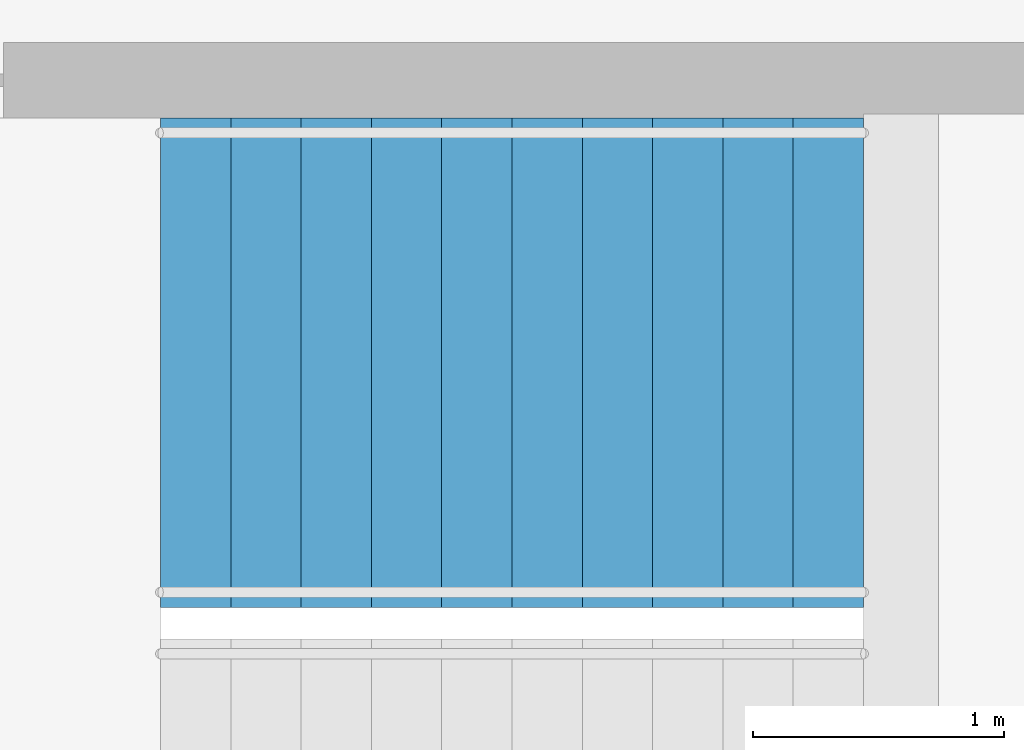
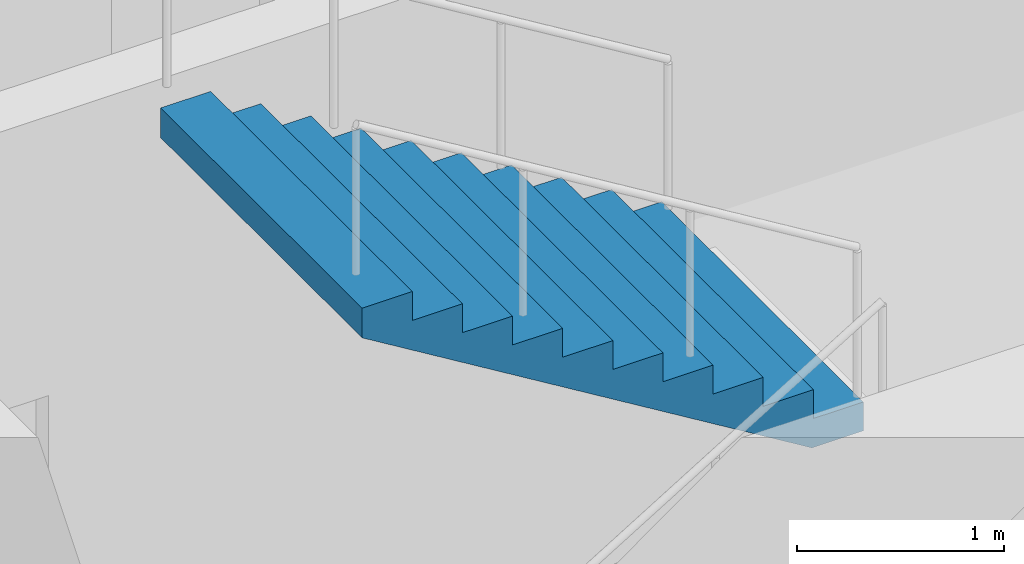
# One storey, part 19 of 22: 1 stair flight, 1 element without a shape of its own.
"""IFC4 building model written with IfcOpenShell, lengths in metres."""

from ifc_helpers import new_model, si_unit, direction, frame, origin, place, context, subcontext, project, spatial, triangles, material, type_object, element, aggregate, save


model = new_model("IFC4")

# Units and contexts
model_context = context("Model", 3, precision=1e-05, world=origin(), true_north=direction((0.0, 1.0)))
body_context = subcontext(model_context, "Body", "Model", "MODEL_VIEW")
ifc_project = project(units=[si_unit("LENGTHUNIT", "METRE"), si_unit("AREAUNIT", "SQUARE_METRE"), si_unit("VOLUMEUNIT", "CUBIC_METRE"), si_unit("PLANEANGLEUNIT", "RADIAN"), si_unit("MASSUNIT", "GRAM", prefix="KILO")], contexts=[model_context])

# Site, building, storey
site_placement = place(None, origin())
site = spatial("IfcSite", under=ifc_project, at=site_placement, CompositionType="ELEMENT")
building_placement = place(site_placement, origin())
building = spatial("IfcBuilding", under=site, at=building_placement, Name="Orbita Commons", CompositionType="ELEMENT")
storey_placement = place(building_placement, frame((0.0, 0.0, 152.35009765625)))
storey = spatial("IfcBuildingStorey", under=building, at=storey_placement, Name="L37", CompositionType="ELEMENT", Elevation=152.35009765625)

# Stair, stair flight
ifc_material_1 = material(Name="Precast concrete C40/50", Category="concrete")
stair_type = type_object("IfcStairType", Name="Exit stair S1 2 flights 11 risers 170", PredefinedType="HALF_TURN_STAIR", material=ifc_material_1)
stair_placement = place(storey_placement, origin())
stair = element("IfcStair", 1, at=stair_placement, inside=storey, type_object=stair_type, Name="Exit stair S1 L37", PredefinedType="HALF_TURN_STAIR")
ifc_material_2 = material(Name="Precast concrete C40/50", Category="concrete")
stair_flight_type = type_object("IfcStairFlightType", Name="Stair flight 11 risers 170 x 280", PredefinedType="STRAIGHT", material=ifc_material_2)
stair_flight_placement = place(storey_placement, frame((23.25, 29.27490234375, 1.875), z_axis=(0.0, 0.0, 1.0), x_axis=(-1.0, 0.0, 0.0)))
stair_flight = element("IfcStairFlight", 2, at=stair_flight_placement, type_object=stair_flight_type, Name="S1 flight 2", NumberOfRisers=11, NumberOfTreads=10, PredefinedType="STRAIGHT", RiserHeight=0.170454545, TreadLength=0.28, context=body_context, shape_type="Tessellation", body=[
    triangles([(0.0, 0.974976, 0.0), (0.0, 0.974976, 0.021307), (0.0, 0.81248, 0.021307), (0.0, 0.81248, 0.0), (0.0, 0.649984, 0.021307), (0.0, 0.649984, 0.0), (0.0, 0.487488, 0.021307), (0.0, 0.487488, 0.0), (0.0, 0.324992, 0.021307), (0.0, 0.324992, 0.0), (0.0, 0.162496, 0.021307), (0.0, 0.162496, 0.0), (0.0, 0.0, 0.021307), (0.0, 0.0, 0.0), (0.0, -0.162496, 0.021307), (0.0, -0.162496, 0.0), (0.0, -0.324992, 0.021307), (0.0, -0.324992, 0.0), (0.0, -0.487488, 0.021307), (0.0, -0.487488, 0.0), (0.0, -0.649984, 0.021307), (0.0, -0.649984, 0.0), (0.0, -0.81248, 0.021307), (0.0, -0.81248, 0.0), (0.0, -0.974976, 0.021307), (0.0, -0.974976, 0.0), (0.0, 0.974976, 0.042614), (0.0, 0.81248, 0.042614), (0.0, 0.649984, 0.042614), (0.0, 0.487488, 0.042614), (0.0, 0.324992, 0.042614), (0.0, 0.162496, 0.042614), (0.0, 0.0, 0.042614), (0.0, -0.162496, 0.042614), (0.0, -0.324992, 0.042614), (0.0, -0.487488, 0.042614), (0.0, -0.649984, 0.042614), (0.0, -0.81248, 0.042614), (0.0, -0.974976, 0.042614), (0.0, 0.974976, 0.06392), (0.0, 0.81248, 0.06392), (0.0, 0.649984, 0.06392), (0.0, 0.487488, 0.06392), (0.0, 0.324992, 0.06392), (0.0, 0.162496, 0.06392), (0.0, 0.0, 0.06392), (0.0, -0.162496, 0.06392), (0.0, -0.324992, 0.06392), (0.0, -0.487488, 0.06392), (0.0, -0.649984, 0.06392), (0.0, -0.81248, 0.06392), (0.0, -0.974976, 0.06392), (0.0, 0.974976, 0.085227), (0.0, 0.81248, 0.085227), (0.0, 0.649984, 0.085227), (0.0, 0.487488, 0.085227), (0.0, 0.324992, 0.085227), (0.0, 0.162496, 0.085227), (0.0, 0.0, 0.085227), (0.0, -0.162496, 0.085227), (0.0, -0.324992, 0.085227), (0.0, -0.487488, 0.085227), (0.0, -0.649984, 0.085227), (0.0, -0.81248, 0.085227), (0.0, -0.974976, 0.085227), (0.0, 0.974976, 0.106534), (0.0, 0.81248, 0.106534), (0.0, 0.649984, 0.106534), (0.0, 0.487488, 0.106534), (0.0, 0.324992, 0.106534), (0.0, 0.162496, 0.106534), (0.0, 0.0, 0.106534), (0.0, -0.162496, 0.106534), (0.0, -0.324992, 0.106534), (0.0, -0.487488, 0.106534), (0.0, -0.649984, 0.106534), (0.0, -0.81248, 0.106534), (0.0, -0.974976, 0.106534), (0.0, 0.974976, 0.127841), (0.0, 0.81248, 0.127841), (0.0, 0.649984, 0.127841), (0.0, 0.487488, 0.127841), (0.0, 0.324992, 0.127841), (0.0, 0.162496, 0.127841), (0.0, 0.0, 0.127841), (0.0, -0.162496, 0.127841), (0.0, -0.324992, 0.127841), (0.0, -0.487488, 0.127841), (0.0, -0.649984, 0.127841), (0.0, -0.81248, 0.127841), (0.0, -0.974976, 0.127841), (0.0, 0.974976, 0.149148), (0.0, 0.81248, 0.149148), (0.0, 0.649984, 0.149148), (0.0, 0.487488, 0.149148), (0.0, 0.324992, 0.149148), (0.0, 0.162496, 0.149148), (0.0, 0.0, 0.149148), (0.0, -0.162496, 0.149148), (0.0, -0.324992, 0.149148), (0.0, -0.487488, 0.149148), (0.0, -0.649984, 0.149148), (0.0, -0.81248, 0.149148), (0.0, -0.974976, 0.149148), (0.0, 0.974976, 0.170455), (0.0, 0.81248, 0.170455), (0.0, 0.649984, 0.170455), (0.0, 0.487488, 0.170455), (0.0, 0.324992, 0.170455), (0.0, 0.162496, 0.170455), (0.0, 0.0, 0.170455), (0.0, -0.162496, 0.170455), (0.0, -0.324992, 0.170455), (0.0, -0.487488, 0.170455), (0.0, -0.649984, 0.170455), (0.0, -0.81248, 0.170455), (0.0, -0.974976, 0.170455), (0.28, 0.974976, 0.170455), (0.28, 0.81248, 0.170455), (0.28, 0.649984, 0.170455), (0.28, 0.487488, 0.170455), (0.28, 0.324992, 0.170455), (0.28, 0.162496, 0.170455), (0.28, 0.0, 0.170455), (0.28, -0.162496, 0.170455), (0.28, -0.324992, 0.170455), (0.28, -0.487488, 0.170455), (0.28, -0.649984, 0.170455), (0.28, -0.81248, 0.170455), (0.28, -0.974976, 0.170455), (0.28, 0.974976, 0.340909), (0.28, 0.81248, 0.340909), (0.28, 0.649984, 0.340909), (0.28, 0.487488, 0.340909), (0.28, 0.324992, 0.340909), (0.28, 0.162496, 0.340909), (0.28, 0.0, 0.340909), (0.28, -0.162496, 0.340909), (0.28, -0.324992, 0.340909), (0.28, -0.487488, 0.340909), (0.28, -0.649984, 0.340909), (0.28, -0.81248, 0.340909), (0.28, -0.974976, 0.340909), (0.56, 0.974976, 0.340909), (0.56, 0.81248, 0.340909), (0.56, 0.649984, 0.340909), (0.56, 0.487488, 0.340909), (0.56, 0.324992, 0.340909), (0.56, 0.162496, 0.340909), (0.56, 0.0, 0.340909), (0.56, -0.162496, 0.340909), (0.56, -0.324992, 0.340909), (0.56, -0.487488, 0.340909), (0.56, -0.649984, 0.340909), (0.56, -0.81248, 0.340909), (0.56, -0.974976, 0.340909), (0.56, 0.974976, 0.511364), (0.56, 0.81248, 0.511364), (0.56, 0.649984, 0.511364), (0.56, 0.487488, 0.511364), (0.56, 0.324992, 0.511364), (0.56, 0.162496, 0.511364), (0.56, 0.0, 0.511364), (0.56, -0.162496, 0.511364), (0.56, -0.324992, 0.511364), (0.56, -0.487488, 0.511364), (0.56, -0.649984, 0.511364), (0.56, -0.81248, 0.511364), (0.56, -0.974976, 0.511364), (0.84, 0.974976, 0.511364), (0.84, 0.81248, 0.511364), (0.84, 0.649984, 0.511364), (0.84, 0.487488, 0.511364), (0.84, 0.324992, 0.511364), (0.84, 0.162496, 0.511364), (0.84, 0.0, 0.511364), (0.84, -0.162496, 0.511364), (0.84, -0.324992, 0.511364), (0.84, -0.487488, 0.511364), (0.84, -0.649984, 0.511364), (0.84, -0.81248, 0.511364), (0.84, -0.974976, 0.511364), (0.84, 0.974976, 0.681818), (0.84, 0.81248, 0.681818), (0.84, 0.649984, 0.681818), (0.84, 0.487488, 0.681818), (0.84, 0.324992, 0.681818), (0.84, 0.162496, 0.681818), (0.84, 0.0, 0.681818), (0.84, -0.162496, 0.681818), (0.84, -0.324992, 0.681818), (0.84, -0.487488, 0.681818), (0.84, -0.649984, 0.681818), (0.84, -0.81248, 0.681818), (0.84, -0.974976, 0.681818), (1.12, 0.974976, 0.681818), (1.12, 0.81248, 0.681818), (1.12, 0.649984, 0.681818), (1.12, 0.487488, 0.681818), (1.12, 0.324992, 0.681818), (1.12, 0.162496, 0.681818), (1.12, 0.0, 0.681818), (1.12, -0.162496, 0.681818), (1.12, -0.324992, 0.681818), (1.12, -0.487488, 0.681818), (1.12, -0.649984, 0.681818), (1.12, -0.81248, 0.681818), (1.12, -0.974976, 0.681818), (1.12, 0.974976, 0.852273), (1.12, 0.81248, 0.852273), (1.12, 0.649984, 0.852273), (1.12, 0.487488, 0.852273), (1.12, 0.324992, 0.852273), (1.12, 0.162496, 0.852273), (1.12, 0.0, 0.852273), (1.12, -0.162496, 0.852273), (1.12, -0.324992, 0.852273), (1.12, -0.487488, 0.852273), (1.12, -0.649984, 0.852273), (1.12, -0.81248, 0.852273), (1.12, -0.974976, 0.852273), (1.4, 0.974976, 0.852273), (1.4, 0.81248, 0.852273), (1.4, 0.649984, 0.852273), (1.4, 0.487488, 0.852273), (1.4, 0.324992, 0.852273), (1.4, 0.162496, 0.852273), (1.4, 0.0, 0.852273), (1.4, -0.162496, 0.852273), (1.4, -0.324992, 0.852273), (1.4, -0.487488, 0.852273), (1.4, -0.649984, 0.852273), (1.4, -0.81248, 0.852273), (1.4, -0.974976, 0.852273), (1.4, 0.974976, 1.022727), (1.4, 0.81248, 1.022727), (1.4, 0.649984, 1.022727), (1.4, 0.487488, 1.022727), (1.4, 0.324992, 1.022727), (1.4, 0.162496, 1.022727), (1.4, 0.0, 1.022727), (1.4, -0.162496, 1.022727), (1.4, -0.324992, 1.022727), (1.4, -0.487488, 1.022727), (1.4, -0.649984, 1.022727), (1.4, -0.81248, 1.022727), (1.4, -0.974976, 1.022727), (1.68, 0.974976, 1.022727), (1.68, 0.81248, 1.022727), (1.68, 0.649984, 1.022727), (1.68, 0.487488, 1.022727), (1.68, 0.324992, 1.022727), (1.68, 0.162496, 1.022727), (1.68, 0.0, 1.022727), (1.68, -0.162496, 1.022727), (1.68, -0.324992, 1.022727), (1.68, -0.487488, 1.022727), (1.68, -0.649984, 1.022727), (1.68, -0.81248, 1.022727), (1.68, -0.974976, 1.022727), (1.68, 0.974976, 1.193182), (1.68, 0.81248, 1.193182), (1.68, 0.649984, 1.193182), (1.68, 0.487488, 1.193182), (1.68, 0.324992, 1.193182), (1.68, 0.162496, 1.193182), (1.68, 0.0, 1.193182), (1.68, -0.162496, 1.193182), (1.68, -0.324992, 1.193182), (1.68, -0.487488, 1.193182), (1.68, -0.649984, 1.193182), (1.68, -0.81248, 1.193182), (1.68, -0.974976, 1.193182), (1.96, 0.974976, 1.193182), (1.96, 0.81248, 1.193182), (1.96, 0.649984, 1.193182), (1.96, 0.487488, 1.193182), (1.96, 0.324992, 1.193182), (1.96, 0.162496, 1.193182), (1.96, 0.0, 1.193182), (1.96, -0.162496, 1.193182), (1.96, -0.324992, 1.193182), (1.96, -0.487488, 1.193182), (1.96, -0.649984, 1.193182), (1.96, -0.81248, 1.193182), (1.96, -0.974976, 1.193182), (1.96, 0.974976, 1.363636), (1.96, 0.81248, 1.363636), (1.96, 0.649984, 1.363636), (1.96, 0.487488, 1.363636), (1.96, 0.324992, 1.363636), (1.96, 0.162496, 1.363636), (1.96, 0.0, 1.363636), (1.96, -0.162496, 1.363636), (1.96, -0.324992, 1.363636), (1.96, -0.487488, 1.363636), (1.96, -0.649984, 1.363636), (1.96, -0.81248, 1.363636), (1.96, -0.974976, 1.363636), (2.24, 0.974976, 1.363636), (2.24, 0.81248, 1.363636), (2.24, 0.649984, 1.363636), (2.24, 0.487488, 1.363636), (2.24, 0.324992, 1.363636), (2.24, 0.162496, 1.363636), (2.24, 0.0, 1.363636), (2.24, -0.162496, 1.363636), (2.24, -0.324992, 1.363636), (2.24, -0.487488, 1.363636), (2.24, -0.649984, 1.363636), (2.24, -0.81248, 1.363636), (2.24, -0.974976, 1.363636), (2.24, 0.974976, 1.534091), (2.24, 0.81248, 1.534091), (2.24, 0.649984, 1.534091), (2.24, 0.487488, 1.534091), (2.24, 0.324992, 1.534091), (2.24, 0.162496, 1.534091), (2.24, 0.0, 1.534091), (2.24, -0.162496, 1.534091), (2.24, -0.324992, 1.534091), (2.24, -0.487488, 1.534091), (2.24, -0.649984, 1.534091), (2.24, -0.81248, 1.534091), (2.24, -0.974976, 1.534091), (2.52, 0.974976, 1.534091), (2.52, 0.81248, 1.534091), (2.52, 0.649984, 1.534091), (2.52, 0.487488, 1.534091), (2.52, 0.324992, 1.534091), (2.52, 0.162496, 1.534091), (2.52, 0.0, 1.534091), (2.52, -0.162496, 1.534091), (2.52, -0.324992, 1.534091), (2.52, -0.487488, 1.534091), (2.52, -0.649984, 1.534091), (2.52, -0.81248, 1.534091), (2.52, -0.974976, 1.534091), (2.52, 0.974976, 1.704545), (2.52, 0.81248, 1.704545), (2.52, 0.649984, 1.704545), (2.52, 0.487488, 1.704545), (2.52, 0.324992, 1.704545), (2.52, 0.162496, 1.704545), (2.52, 0.0, 1.704545), (2.52, -0.162496, 1.704545), (2.52, -0.324992, 1.704545), (2.52, -0.487488, 1.704545), (2.52, -0.649984, 1.704545), (2.52, -0.81248, 1.704545), (2.52, -0.974976, 1.704545), (2.8, 0.974976, 1.704545), (2.8, 0.81248, 1.704545), (2.8, 0.649984, 1.704545), (2.8, 0.487488, 1.704545), (2.8, 0.324992, 1.704545), (2.8, 0.162496, 1.704545), (2.8, 0.0, 1.704545), (2.8, -0.162496, 1.704545), (2.8, -0.324992, 1.704545), (2.8, -0.487488, 1.704545), (2.8, -0.649984, 1.704545), (2.8, -0.81248, 1.704545), (2.8, -0.974976, 1.704545), (2.8, 0.974976, 1.682609), (2.8, 0.81248, 1.682609), (2.8, 0.649984, 1.682609), (2.8, 0.487488, 1.682609), (2.8, 0.324992, 1.682609), (2.8, 0.162496, 1.682609), (2.8, 0.0, 1.682609), (2.8, -0.162496, 1.682609), (2.8, -0.324992, 1.682609), (2.8, -0.487488, 1.682609), (2.8, -0.649984, 1.682609), (2.8, -0.81248, 1.682609), (2.8, -0.974976, 1.682609), (2.8, 0.974976, 1.660672), (2.8, 0.81248, 1.660672), (2.8, 0.649984, 1.660672), (2.8, 0.487488, 1.660672), (2.8, 0.324992, 1.660672), (2.8, 0.162496, 1.660672), (2.8, 0.0, 1.660672), (2.8, -0.162496, 1.660672), (2.8, -0.324992, 1.660672), (2.8, -0.487488, 1.660672), (2.8, -0.649984, 1.660672), (2.8, -0.81248, 1.660672), (2.8, -0.974976, 1.660672), (2.8, 0.974976, 1.638735), (2.8, 0.81248, 1.638735), (2.8, 0.649984, 1.638735), (2.8, 0.487488, 1.638735), (2.8, 0.324992, 1.638735), (2.8, 0.162496, 1.638735), (2.8, 0.0, 1.638735), (2.8, -0.162496, 1.638735), (2.8, -0.324992, 1.638735), (2.8, -0.487488, 1.638735), (2.8, -0.649984, 1.638735), (2.8, -0.81248, 1.638735), (2.8, -0.974976, 1.638735), (2.8, 0.974976, 1.616798), (2.8, 0.81248, 1.616798), (2.8, 0.649984, 1.616798), (2.8, 0.487488, 1.616798), (2.8, 0.324992, 1.616798), (2.8, 0.162496, 1.616798), (2.8, 0.0, 1.616798), (2.8, -0.162496, 1.616798), (2.8, -0.324992, 1.616798), (2.8, -0.487488, 1.616798), (2.8, -0.649984, 1.616798), (2.8, -0.81248, 1.616798), (2.8, -0.974976, 1.616798), (2.8, 0.974976, 1.594861), (2.8, 0.81248, 1.594861), (2.8, 0.649984, 1.594861), (2.8, 0.487488, 1.594861), (2.8, 0.324992, 1.594861), (2.8, 0.162496, 1.594861), (2.8, 0.0, 1.594861), (2.8, -0.162496, 1.594861), (2.8, -0.324992, 1.594861), (2.8, -0.487488, 1.594861), (2.8, -0.649984, 1.594861), (2.8, -0.81248, 1.594861), (2.8, -0.974976, 1.594861), (2.8, 0.974976, 1.572925), (2.8, 0.81248, 1.572925), (2.8, 0.649984, 1.572925), (2.8, 0.487488, 1.572925), (2.8, 0.324992, 1.572925), (2.8, 0.162496, 1.572925), (2.8, 0.0, 1.572925), (2.8, -0.162496, 1.572925), (2.8, -0.324992, 1.572925), (2.8, -0.487488, 1.572925), (2.8, -0.649984, 1.572925), (2.8, -0.81248, 1.572925), (2.8, -0.974976, 1.572925), (2.8, 0.974976, 1.550988), (2.8, 0.81248, 1.550988), (2.8, 0.649984, 1.550988), (2.8, 0.487488, 1.550988), (2.8, 0.324992, 1.550988), (2.8, 0.162496, 1.550988), (2.8, 0.0, 1.550988), (2.8, -0.162496, 1.550988), (2.8, -0.324992, 1.550988), (2.8, -0.487488, 1.550988), (2.8, -0.649984, 1.550988), (2.8, -0.81248, 1.550988), (2.8, -0.974976, 1.550988), (2.8, 0.974976, 1.529051), (2.8, 0.81248, 1.529051), (2.8, 0.649984, 1.529051), (2.8, 0.487488, 1.529051), (2.8, 0.324992, 1.529051), (2.8, 0.162496, 1.529051), (2.8, 0.0, 1.529051), (2.8, -0.162496, 1.529051), (2.8, -0.324992, 1.529051), (2.8, -0.487488, 1.529051), (2.8, -0.649984, 1.529051), (2.8, -0.81248, 1.529051), (2.8, -0.974976, 1.529051), (0.288279, 0.974976, 0.0), (0.288279, 0.81248, 0.0), (0.288279, 0.649984, 0.0), (0.288279, 0.487488, 0.0), (0.288279, 0.324992, 0.0), (0.288279, 0.162496, 0.0), (0.288279, 0.0, 0.0), (0.288279, -0.162496, 0.0), (0.288279, -0.324992, 0.0), (0.288279, -0.487488, 0.0), (0.288279, -0.649984, 0.0), (0.288279, -0.81248, 0.0), (0.288279, -0.974976, 0.0)], [[3, 2, 1], [4, 3, 1], [5, 3, 4], [6, 5, 4], [7, 5, 6], [8, 7, 6], [9, 7, 8], [10, 9, 8], [11, 9, 10], [12, 11, 10], [13, 11, 12], [14, 13, 12], [15, 13, 14], [16, 15, 14], [17, 15, 16], [18, 17, 16], [19, 17, 18], [20, 19, 18], [21, 19, 20], [22, 21, 20], [23, 21, 22], [24, 23, 22], [25, 23, 24], [26, 25, 24], [28, 27, 2], [3, 28, 2], [29, 28, 3], [5, 29, 3], [30, 29, 5], [7, 30, 5], [31, 30, 7], [9, 31, 7], [32, 31, 9], [11, 32, 9], [33, 32, 11], [13, 33, 11], [34, 33, 13], [15, 34, 13], [35, 34, 15], [17, 35, 15], [36, 35, 17], [19, 36, 17], [37, 36, 19], [21, 37, 19], [38, 37, 21], [23, 38, 21], [39, 38, 23], [25, 39, 23], [41, 40, 27], [28, 41, 27], [42, 41, 28], [29, 42, 28], [43, 42, 29], [30, 43, 29], [44, 43, 30], [31, 44, 30], [45, 44, 31], [32, 45, 31], [46, 45, 32], [33, 46, 32], [47, 46, 33], [34, 47, 33], [48, 47, 34], [35, 48, 34], [49, 48, 35], [36, 49, 35], [50, 49, 36], [37, 50, 36], [51, 50, 37], [38, 51, 37], [52, 51, 38], [39, 52, 38], [54, 53, 40], [41, 54, 40], [55, 54, 41], [42, 55, 41], [56, 55, 42], [43, 56, 42], [57, 56, 43], [44, 57, 43], [58, 57, 44], [45, 58, 44], [59, 58, 45], [46, 59, 45], [60, 59, 46], [47, 60, 46], [61, 60, 47], [48, 61, 47], [62, 61, 48], [49, 62, 48], [63, 62, 49], [50, 63, 49], [64, 63, 50], [51, 64, 50], [65, 64, 51], [52, 65, 51], [67, 66, 53], [54, 67, 53], [68, 67, 54], [55, 68, 54], [69, 68, 55], [56, 69, 55], [70, 69, 56], [57, 70, 56], [71, 70, 57], [58, 71, 57], [72, 71, 58], [59, 72, 58], [73, 72, 59], [60, 73, 59], [74, 73, 60], [61, 74, 60], [75, 74, 61], [62, 75, 61], [76, 75, 62], [63, 76, 62], [77, 76, 63], [64, 77, 63], [78, 77, 64], [65, 78, 64], [80, 79, 66], [67, 80, 66], [81, 80, 67], [68, 81, 67], [82, 81, 68], [69, 82, 68], [83, 82, 69], [70, 83, 69], [84, 83, 70], [71, 84, 70], [85, 84, 71], [72, 85, 71], [86, 85, 72], [73, 86, 72], [87, 86, 73], [74, 87, 73], [88, 87, 74], [75, 88, 74], [89, 88, 75], [76, 89, 75], [90, 89, 76], [77, 90, 76], [91, 90, 77], [78, 91, 77], [93, 92, 79], [80, 93, 79], [94, 93, 80], [81, 94, 80], [95, 94, 81], [82, 95, 81], [96, 95, 82], [83, 96, 82], [97, 96, 83], [84, 97, 83], [98, 97, 84], [85, 98, 84], [99, 98, 85], [86, 99, 85], [100, 99, 86], [87, 100, 86], [101, 100, 87], [88, 101, 87], [102, 101, 88], [89, 102, 88], [103, 102, 89], [90, 103, 89], [104, 103, 90], [91, 104, 90], [106, 105, 92], [93, 106, 92], [107, 106, 93], [94, 107, 93], [108, 107, 94], [95, 108, 94], [109, 108, 95], [96, 109, 95], [110, 109, 96], [97, 110, 96], [111, 110, 97], [98, 111, 97], [112, 111, 98], [99, 112, 98], [113, 112, 99], [100, 113, 99], [114, 113, 100], [101, 114, 100], [115, 114, 101], [102, 115, 101], [116, 115, 102], [103, 116, 102], [117, 116, 103], [104, 117, 103], [119, 118, 105], [106, 119, 105], [120, 119, 106], [107, 120, 106], [121, 120, 107], [108, 121, 107], [122, 121, 108], [109, 122, 108], [123, 122, 109], [110, 123, 109], [124, 123, 110], [111, 124, 110], [125, 124, 111], [112, 125, 111], [126, 125, 112], [113, 126, 112], [127, 126, 113], [114, 127, 113], [128, 127, 114], [115, 128, 114], [129, 128, 115], [116, 129, 115], [130, 129, 116], [117, 130, 116], [132, 131, 118], [119, 132, 118], [133, 132, 119], [120, 133, 119], [134, 133, 120], [121, 134, 120], [135, 134, 121], [122, 135, 121], [136, 135, 122], [123, 136, 122], [137, 136, 123], [124, 137, 123], [138, 137, 124], [125, 138, 124], [139, 138, 125], [126, 139, 125], [140, 139, 126], [127, 140, 126], [141, 140, 127], [128, 141, 127], [142, 141, 128], [129, 142, 128], [143, 142, 129], [130, 143, 129], [145, 144, 131], [132, 145, 131], [146, 145, 132], [133, 146, 132], [147, 146, 133], [134, 147, 133], [148, 147, 134], [135, 148, 134], [149, 148, 135], [136, 149, 135], [150, 149, 136], [137, 150, 136], [151, 150, 137], [138, 151, 137], [152, 151, 138], [139, 152, 138], [153, 152, 139], [140, 153, 139], [154, 153, 140], [141, 154, 140], [155, 154, 141], [142, 155, 141], [156, 155, 142], [143, 156, 142], [158, 157, 144], [145, 158, 144], [159, 158, 145], [146, 159, 145], [160, 159, 146], [147, 160, 146], [161, 160, 147], [148, 161, 147], [162, 161, 148], [149, 162, 148], [163, 162, 149], [150, 163, 149], [164, 163, 150], [151, 164, 150], [165, 164, 151], [152, 165, 151], [166, 165, 152], [153, 166, 152], [167, 166, 153], [154, 167, 153], [168, 167, 154], [155, 168, 154], [169, 168, 155], [156, 169, 155], [171, 170, 157], [158, 171, 157], [172, 171, 158], [159, 172, 158], [173, 172, 159], [160, 173, 159], [174, 173, 160], [161, 174, 160], [175, 174, 161], [162, 175, 161], [176, 175, 162], [163, 176, 162], [177, 176, 163], [164, 177, 163], [178, 177, 164], [165, 178, 164], [179, 178, 165], [166, 179, 165], [180, 179, 166], [167, 180, 166], [181, 180, 167], [168, 181, 167], [182, 181, 168], [169, 182, 168], [184, 183, 170], [171, 184, 170], [185, 184, 171], [172, 185, 171], [186, 185, 172], [173, 186, 172], [187, 186, 173], [174, 187, 173], [188, 187, 174], [175, 188, 174], [189, 188, 175], [176, 189, 175], [190, 189, 176], [177, 190, 176], [191, 190, 177], [178, 191, 177], [192, 191, 178], [179, 192, 178], [193, 192, 179], [180, 193, 179], [194, 193, 180], [181, 194, 180], [195, 194, 181], [182, 195, 181], [197, 196, 183], [184, 197, 183], [198, 197, 184], [185, 198, 184], [199, 198, 185], [186, 199, 185], [200, 199, 186], [187, 200, 186], [201, 200, 187], [188, 201, 187], [202, 201, 188], [189, 202, 188], [203, 202, 189], [190, 203, 189], [204, 203, 190], [191, 204, 190], [205, 204, 191], [192, 205, 191], [206, 205, 192], [193, 206, 192], [207, 206, 193], [194, 207, 193], [208, 207, 194], [195, 208, 194], [210, 209, 196], [197, 210, 196], [211, 210, 197], [198, 211, 197], [212, 211, 198], [199, 212, 198], [213, 212, 199], [200, 213, 199], [214, 213, 200], [201, 214, 200], [215, 214, 201], [202, 215, 201], [216, 215, 202], [203, 216, 202], [217, 216, 203], [204, 217, 203], [218, 217, 204], [205, 218, 204], [219, 218, 205], [206, 219, 205], [220, 219, 206], [207, 220, 206], [221, 220, 207], [208, 221, 207], [223, 222, 209], [210, 223, 209], [224, 223, 210], [211, 224, 210], [225, 224, 211], [212, 225, 211], [226, 225, 212], [213, 226, 212], [227, 226, 213], [214, 227, 213], [228, 227, 214], [215, 228, 214], [229, 228, 215], [216, 229, 215], [230, 229, 216], [217, 230, 216], [231, 230, 217], [218, 231, 217], [232, 231, 218], [219, 232, 218], [233, 232, 219], [220, 233, 219], [234, 233, 220], [221, 234, 220], [236, 235, 222], [223, 236, 222], [237, 236, 223], [224, 237, 223], [238, 237, 224], [225, 238, 224], [239, 238, 225], [226, 239, 225], [240, 239, 226], [227, 240, 226], [241, 240, 227], [228, 241, 227], [242, 241, 228], [229, 242, 228], [243, 242, 229], [230, 243, 229], [244, 243, 230], [231, 244, 230], [245, 244, 231], [232, 245, 231], [246, 245, 232], [233, 246, 232], [247, 246, 233], [234, 247, 233], [249, 248, 235], [236, 249, 235], [250, 249, 236], [237, 250, 236], [251, 250, 237], [238, 251, 237], [252, 251, 238], [239, 252, 238], [253, 252, 239], [240, 253, 239], [254, 253, 240], [241, 254, 240], [255, 254, 241], [242, 255, 241], [256, 255, 242], [243, 256, 242], [257, 256, 243], [244, 257, 243], [258, 257, 244], [245, 258, 244], [259, 258, 245], [246, 259, 245], [260, 259, 246], [247, 260, 246], [262, 261, 248], [249, 262, 248], [263, 262, 249], [250, 263, 249], [264, 263, 250], [251, 264, 250], [265, 264, 251], [252, 265, 251], [266, 265, 252], [253, 266, 252], [267, 266, 253], [254, 267, 253], [268, 267, 254], [255, 268, 254], [269, 268, 255], [256, 269, 255], [270, 269, 256], [257, 270, 256], [271, 270, 257], [258, 271, 257], [272, 271, 258], [259, 272, 258], [273, 272, 259], [260, 273, 259], [275, 274, 261], [262, 275, 261], [276, 275, 262], [263, 276, 262], [277, 276, 263], [264, 277, 263], [278, 277, 264], [265, 278, 264], [279, 278, 265], [266, 279, 265], [280, 279, 266], [267, 280, 266], [281, 280, 267], [268, 281, 267], [282, 281, 268], [269, 282, 268], [283, 282, 269], [270, 283, 269], [284, 283, 270], [271, 284, 270], [285, 284, 271], [272, 285, 271], [286, 285, 272], [273, 286, 272], [288, 287, 274], [275, 288, 274], [289, 288, 275], [276, 289, 275], [290, 289, 276], [277, 290, 276], [291, 290, 277], [278, 291, 277], [292, 291, 278], [279, 292, 278], [293, 292, 279], [280, 293, 279], [294, 293, 280], [281, 294, 280], [295, 294, 281], [282, 295, 281], [296, 295, 282], [283, 296, 282], [297, 296, 283], [284, 297, 283], [298, 297, 284], [285, 298, 284], [299, 298, 285], [286, 299, 285], [301, 300, 287], [288, 301, 287], [302, 301, 288], [289, 302, 288], [303, 302, 289], [290, 303, 289], [304, 303, 290], [291, 304, 290], [305, 304, 291], [292, 305, 291], [306, 305, 292], [293, 306, 292], [307, 306, 293], [294, 307, 293], [308, 307, 294], [295, 308, 294], [309, 308, 295], [296, 309, 295], [310, 309, 296], [297, 310, 296], [311, 310, 297], [298, 311, 297], [312, 311, 298], [299, 312, 298], [314, 313, 300], [301, 314, 300], [315, 314, 301], [302, 315, 301], [316, 315, 302], [303, 316, 302], [317, 316, 303], [304, 317, 303], [318, 317, 304], [305, 318, 304], [319, 318, 305], [306, 319, 305], [320, 319, 306], [307, 320, 306], [321, 320, 307], [308, 321, 307], [322, 321, 308], [309, 322, 308], [323, 322, 309], [310, 323, 309], [324, 323, 310], [311, 324, 310], [325, 324, 311], [312, 325, 311], [327, 326, 313], [314, 327, 313], [328, 327, 314], [315, 328, 314], [329, 328, 315], [316, 329, 315], [330, 329, 316], [317, 330, 316], [331, 330, 317], [318, 331, 317], [332, 331, 318], [319, 332, 318], [333, 332, 319], [320, 333, 319], [334, 333, 320], [321, 334, 320], [335, 334, 321], [322, 335, 321], [336, 335, 322], [323, 336, 322], [337, 336, 323], [324, 337, 323], [338, 337, 324], [325, 338, 324], [340, 339, 326], [327, 340, 326], [341, 340, 327], [328, 341, 327], [342, 341, 328], [329, 342, 328], [343, 342, 329], [330, 343, 329], [344, 343, 330], [331, 344, 330], [345, 344, 331], [332, 345, 331], [346, 345, 332], [333, 346, 332], [347, 346, 333], [334, 347, 333], [348, 347, 334], [335, 348, 334], [349, 348, 335], [336, 349, 335], [350, 349, 336], [337, 350, 336], [351, 350, 337], [338, 351, 337], [353, 352, 339], [340, 353, 339], [354, 353, 340], [341, 354, 340], [355, 354, 341], [342, 355, 341], [356, 355, 342], [343, 356, 342], [357, 356, 343], [344, 357, 343], [358, 357, 344], [345, 358, 344], [359, 358, 345], [346, 359, 345], [360, 359, 346], [347, 360, 346], [361, 360, 347], [348, 361, 347], [362, 361, 348], [349, 362, 348], [363, 362, 349], [350, 363, 349], [364, 363, 350], [351, 364, 350], [366, 365, 352], [353, 366, 352], [367, 366, 353], [354, 367, 353], [368, 367, 354], [355, 368, 354], [369, 368, 355], [356, 369, 355], [370, 369, 356], [357, 370, 356], [371, 370, 357], [358, 371, 357], [372, 371, 358], [359, 372, 358], [373, 372, 359], [360, 373, 359], [374, 373, 360], [361, 374, 360], [375, 374, 361], [362, 375, 361], [376, 375, 362], [363, 376, 362], [377, 376, 363], [364, 377, 363], [379, 378, 365], [366, 379, 365], [380, 379, 366], [367, 380, 366], [381, 380, 367], [368, 381, 367], [382, 381, 368], [369, 382, 368], [383, 382, 369], [370, 383, 369], [384, 383, 370], [371, 384, 370], [385, 384, 371], [372, 385, 371], [386, 385, 372], [373, 386, 372], [387, 386, 373], [374, 387, 373], [388, 387, 374], [375, 388, 374], [389, 388, 375], [376, 389, 375], [390, 389, 376], [377, 390, 376], [392, 391, 378], [379, 392, 378], [393, 392, 379], [380, 393, 379], [394, 393, 380], [381, 394, 380], [395, 394, 381], [382, 395, 381], [396, 395, 382], [383, 396, 382], [397, 396, 383], [384, 397, 383], [398, 397, 384], [385, 398, 384], [399, 398, 385], [386, 399, 385], [400, 399, 386], [387, 400, 386], [401, 400, 387], [388, 401, 387], [402, 401, 388], [389, 402, 388], [403, 402, 389], [390, 403, 389], [405, 404, 391], [392, 405, 391], [406, 405, 392], [393, 406, 392], [407, 406, 393], [394, 407, 393], [408, 407, 394], [395, 408, 394], [409, 408, 395], [396, 409, 395], [410, 409, 396], [397, 410, 396], [411, 410, 397], [398, 411, 397], [412, 411, 398], [399, 412, 398], [413, 412, 399], [400, 413, 399], [414, 413, 400], [401, 414, 400], [415, 414, 401], [402, 415, 401], [416, 415, 402], [403, 416, 402], [418, 417, 404], [405, 418, 404], [419, 418, 405], [406, 419, 405], [420, 419, 406], [407, 420, 406], [421, 420, 407], [408, 421, 407], [422, 421, 408], [409, 422, 408], [423, 422, 409], [410, 423, 409], [424, 423, 410], [411, 424, 410], [425, 424, 411], [412, 425, 411], [426, 425, 412], [413, 426, 412], [427, 426, 413], [414, 427, 413], [428, 427, 414], [415, 428, 414], [429, 428, 415], [416, 429, 415], [431, 430, 417], [418, 431, 417], [432, 431, 418], [419, 432, 418], [433, 432, 419], [420, 433, 419], [434, 433, 420], [421, 434, 420], [435, 434, 421], [422, 435, 421], [436, 435, 422], [423, 436, 422], [437, 436, 423], [424, 437, 423], [438, 437, 424], [425, 438, 424], [439, 438, 425], [426, 439, 425], [440, 439, 426], [427, 440, 426], [441, 440, 427], [428, 441, 427], [442, 441, 428], [429, 442, 428], [444, 443, 430], [431, 444, 430], [445, 444, 431], [432, 445, 431], [446, 445, 432], [433, 446, 432], [447, 446, 433], [434, 447, 433], [448, 447, 434], [435, 448, 434], [449, 448, 435], [436, 449, 435], [450, 449, 436], [437, 450, 436], [451, 450, 437], [438, 451, 437], [452, 451, 438], [439, 452, 438], [453, 452, 439], [440, 453, 439], [454, 453, 440], [441, 454, 440], [455, 454, 441], [442, 455, 441], [457, 456, 443], [444, 457, 443], [458, 457, 444], [445, 458, 444], [459, 458, 445], [446, 459, 445], [460, 459, 446], [447, 460, 446], [461, 460, 447], [448, 461, 447], [462, 461, 448], [449, 462, 448], [463, 462, 449], [450, 463, 449], [464, 463, 450], [451, 464, 450], [465, 464, 451], [452, 465, 451], [466, 465, 452], [453, 466, 452], [467, 466, 453], [454, 467, 453], [468, 467, 454], [455, 468, 454], [470, 469, 456], [457, 470, 456], [471, 470, 457], [458, 471, 457], [472, 471, 458], [459, 472, 458], [473, 472, 459], [460, 473, 459], [474, 473, 460], [461, 474, 460], [475, 474, 461], [462, 475, 461], [476, 475, 462], [463, 476, 462], [477, 476, 463], [464, 477, 463], [478, 477, 464], [465, 478, 464], [479, 478, 465], [466, 479, 465], [480, 479, 466], [467, 480, 466], [481, 480, 467], [468, 481, 467], [4, 1, 469], [470, 4, 469], [6, 4, 470], [471, 6, 470], [8, 6, 471], [472, 8, 471], [10, 8, 472], [473, 10, 472], [12, 10, 473], [474, 12, 473], [14, 12, 474], [475, 14, 474], [16, 14, 475], [476, 16, 475], [18, 16, 476], [477, 18, 476], [20, 18, 477], [478, 20, 477], [22, 20, 478], [479, 22, 478], [24, 22, 479], [480, 24, 479], [26, 24, 480], [481, 26, 480], [456, 469, 1], [26, 481, 468], [443, 456, 1], [26, 468, 455], [430, 443, 1], [26, 455, 442], [417, 430, 1], [26, 442, 429], [404, 417, 1], [26, 429, 416], [391, 404, 1], [26, 416, 403], [378, 391, 1], [26, 403, 390], [365, 378, 1], [26, 390, 377], [339, 352, 365], [377, 364, 351], [326, 339, 365], [377, 351, 338], [300, 313, 326], [338, 325, 312], [300, 326, 365], [377, 338, 312], [274, 287, 300], [312, 299, 286], [274, 300, 365], [377, 312, 286], [248, 261, 274], [286, 273, 260], [248, 274, 365], [377, 286, 260], [222, 235, 248], [260, 247, 234], [222, 248, 365], [377, 260, 234], [196, 209, 222], [234, 221, 208], [196, 222, 365], [377, 234, 208], [170, 183, 196], [208, 195, 182], [170, 196, 365], [377, 208, 182], [144, 157, 170], [182, 169, 156], [144, 170, 365], [377, 182, 156], [118, 131, 144], [156, 143, 130], [118, 144, 365], [377, 156, 130], [118, 365, 1], [26, 377, 130], [92, 105, 118], [130, 117, 104], [79, 92, 118], [130, 104, 91], [66, 79, 118], [130, 91, 78], [53, 66, 118], [130, 78, 65], [40, 53, 118], [130, 65, 52], [27, 40, 118], [130, 52, 39], [2, 27, 118], [130, 39, 25], [1, 2, 118], [130, 25, 26]], closed=True),
])
aggregate(stair, [stair_flight])

save(model, "model.ifc")
